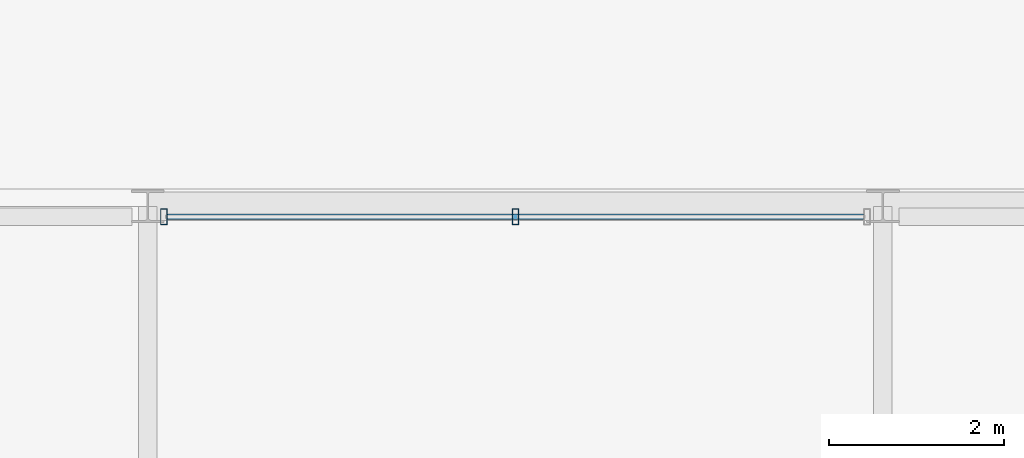
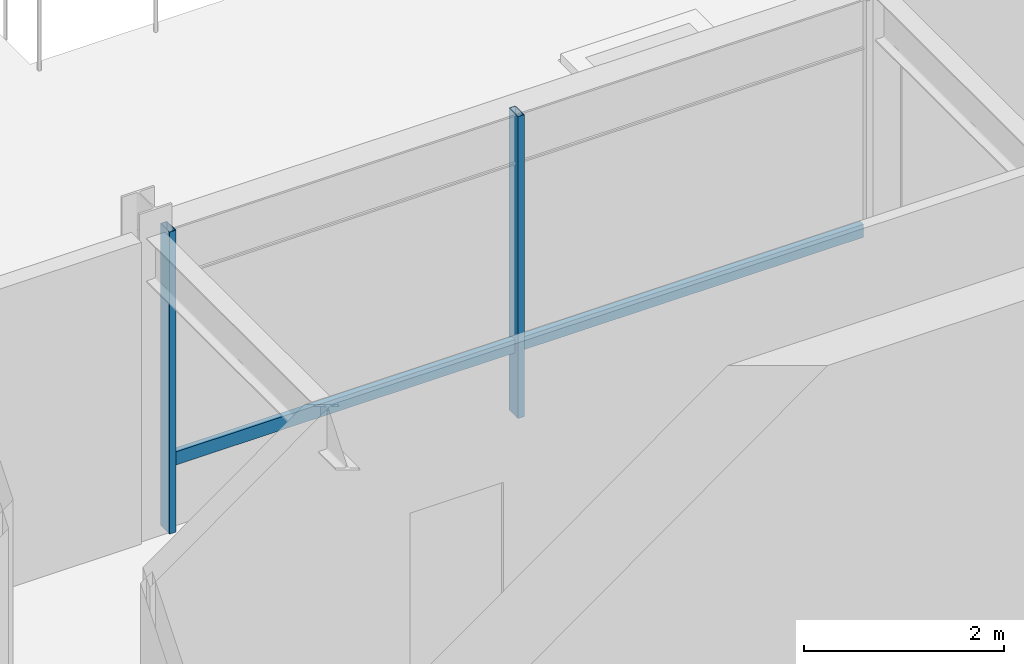
# One storey, part 9 of 17: 3 members, 1 element without a shape of its own.
"""IFC4 building model written with IfcOpenShell, lengths in metres."""

from ifc_helpers import new_model, si_unit, direction, frame, origin, origin_2d, place, context, subcontext, project, spatial, hollow_rectangle, extrude, material, layer, layer_set, material_profile, profile_set, type_object, element, aggregate, save


model = new_model("IFC4")

# Units and contexts
model_context = context("Model", 3, precision=1e-05, world=origin(), true_north=direction((0.0, 1.0)))
body_context = subcontext(model_context, "Body", "Model", "MODEL_VIEW")
ifc_project = project(units=[si_unit("LENGTHUNIT", "METRE"), si_unit("AREAUNIT", "SQUARE_METRE"), si_unit("VOLUMEUNIT", "CUBIC_METRE"), si_unit("PLANEANGLEUNIT", "RADIAN"), si_unit("MASSUNIT", "GRAM", prefix="KILO")], contexts=[model_context])

# Site, building, storey
site_placement = place(None, origin())
site = spatial("IfcSite", under=ifc_project, at=site_placement, CompositionType="ELEMENT")
building_placement = place(site_placement, origin())
building = spatial("IfcBuilding", under=site, at=building_placement, Name="Drelvath Grand Hotel", CompositionType="ELEMENT")
storey_placement = place(building_placement, frame((0.0, 0.0, 311.39990234375)))
storey = spatial("IfcBuildingStorey", under=building, at=storey_placement, Name="L81", CompositionType="ELEMENT", Elevation=311.39990234375)

# Curtain wall, members
ifc_material = material(Name="Pale-Metal Anodised Aluminium Crown Frame", Category="aluminium")
ifc_layer = layer(ifc_material, 0.199951171875)
ifc_layer_set = layer_set([ifc_layer], Name="Pale-Metal Anodised Aluminium Crown Frame")
curtain_wall_type = type_object("IfcCurtainWallType", Name="Stick Curtain Wall CW-06 Pale-Metal Crown Clerestory", PredefinedType="NOTDEFINED", material=ifc_layer_set)
curtain_wall_placement = place(storey_placement, origin())
curtain_wall = element("IfcCurtainWall", 1, at=curtain_wall_placement, inside=storey, type_object=curtain_wall_type, Name="L81 CW-06 Curtain Wall CW06-L81-N", PredefinedType="NOTDEFINED")
ifc_material_profile_1 = material_profile(ifc_material, hollow_rectangle(XDim=0.06494140625, YDim=0.159912109375, WallThickness=0.00390625, at=origin_2d()), Name="HSS160X65X4")
ifc_profile_set_1 = profile_set([ifc_material_profile_1], Name="Pale-Metal Anodised Aluminium Crown Frame")
member_type_1 = type_object("IfcMemberType", Name="Curtain Wall Horizontal Transom CW-06 HSS160X65X4", PredefinedType="USERDEFINED", material=ifc_profile_set_1)
member_1_placement = place(storey_placement, frame((-8.177001953125, 40.8798828125, 0.85009765625), z_axis=(1.0, 0.0, 0.0), x_axis=(0.0, 1.0, 0.0)))
member_1 = element("IfcMember", 2, at=member_1_placement, type_object=member_type_1, Name="CW06-L81-N Sill Transom", ObjectType="TRANSOM", PredefinedType="USERDEFINED", context=body_context, shape_type="SweptSolid", body=[
    extrude(hollow_rectangle(XDim=0.06494140625, YDim=0.159912109375, WallThickness=0.00390625, at=origin_2d()), origin(), (0.0, 0.0, 1.0), 7.9541015625),
])
ifc_material_profile_2 = material_profile(ifc_material, hollow_rectangle(XDim=0.074951171875, YDim=0.179931640625, WallThickness=0.0048828125, at=origin_2d()), Name="HSS180X75X5")
ifc_profile_set_2 = profile_set([ifc_material_profile_2], Name="Pale-Metal Anodised Aluminium Crown Frame")
member_type_2 = type_object("IfcMemberType", Name="Curtain Wall Vertical Mullion CW-06 HSS180X75X5", PredefinedType="MULLION", material=ifc_profile_set_2)
member_2_placement = place(storey_placement, frame((-8.217041015625, 40.8798828125, 0.0), z_axis=(0.0, 0.0, 1.0), x_axis=(1.0, 0.0, 0.0)))
member_2 = element("IfcMember", 3, at=member_2_placement, type_object=member_type_2, Name="CW06-L81-N Mullion 1", PredefinedType="MULLION", context=body_context, shape_type="SweptSolid", body=[
    extrude(hollow_rectangle(XDim=0.074951171875, YDim=0.179931640625, WallThickness=0.0048828125, at=origin_2d()), origin(), (0.0, 0.0, 1.0), 3.68017578125),
])
member_3_placement = place(storey_placement, frame((-4.199951171875, 40.8798828125, 0.0), z_axis=(0.0, 0.0, 1.0), x_axis=(1.0, 0.0, 0.0)))
member_3 = element("IfcMember", 4, at=member_3_placement, type_object=member_type_2, Name="CW06-L81-N Mullion 2", PredefinedType="MULLION", context=body_context, shape_type="SweptSolid", body=[
    extrude(hollow_rectangle(XDim=0.074951171875, YDim=0.179931640625, WallThickness=0.0048828125, at=origin_2d()), origin(), (0.0, 0.0, 1.0), 3.68017578125),
])
aggregate(curtain_wall, [member_2, member_3, member_1])

save(model, "model.ifc")
